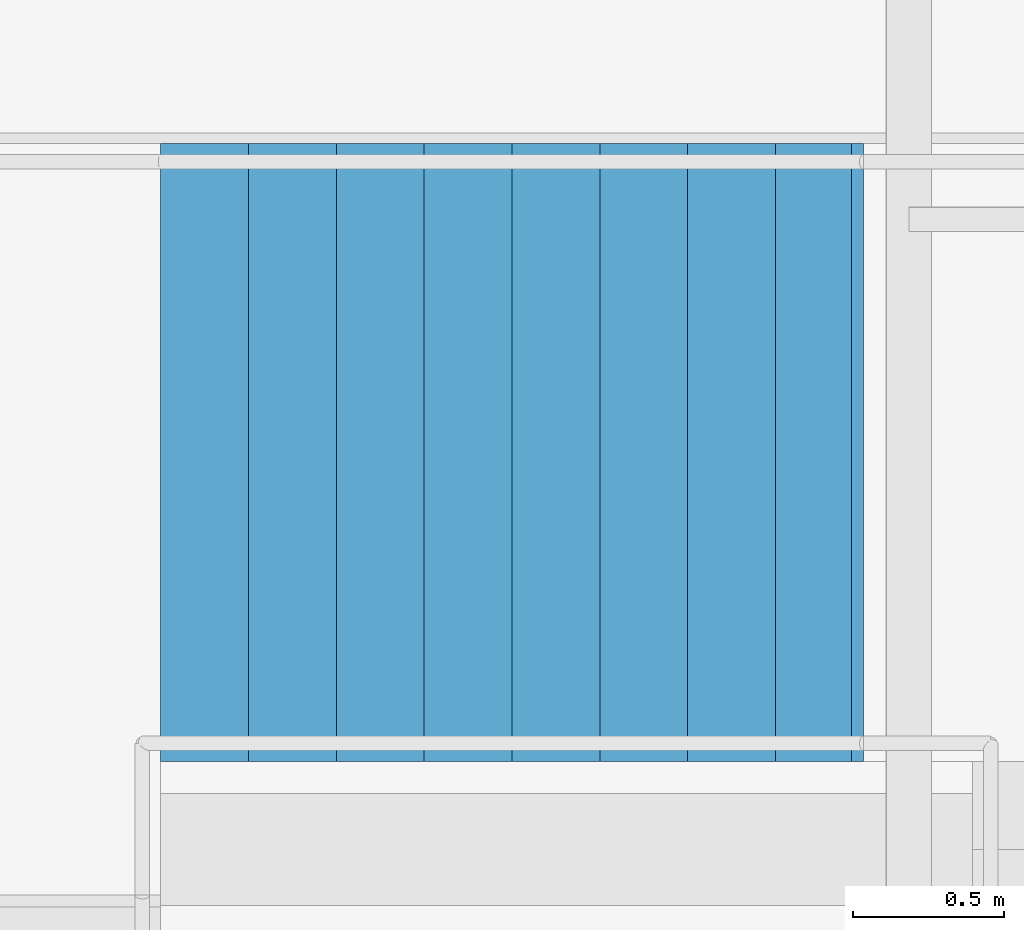
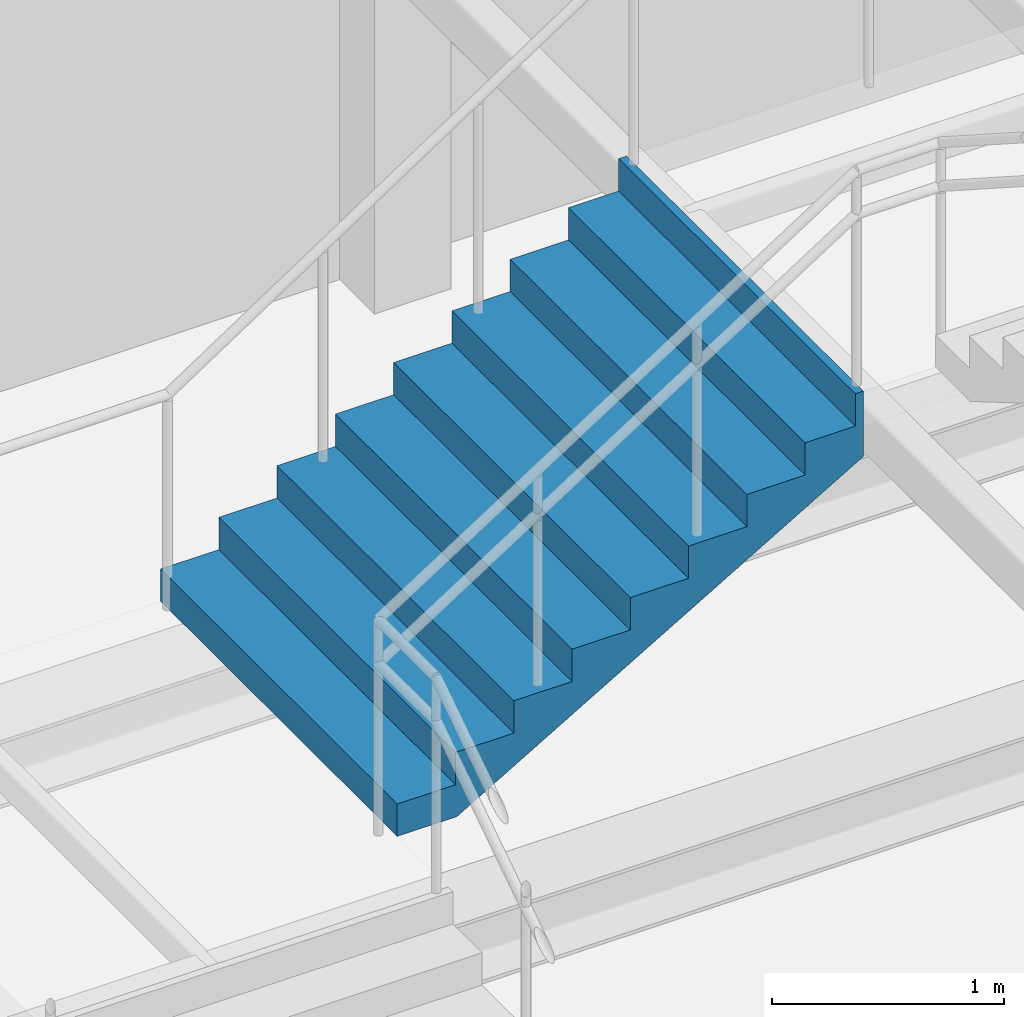
# One storey, part 25 of 32: 1 stair flight, 1 element without a shape of its own.
"""IFC4 building model written with IfcOpenShell, lengths in metres."""

from ifc_helpers import new_model, si_unit, direction, frame, origin, place, context, subcontext, project, spatial, triangles, material, type_object, element, aggregate, save


model = new_model("IFC4")

# Units and contexts
model_context = context("Model", 3, precision=1e-05, world=origin(), true_north=direction((0.0, 1.0)))
body_context = subcontext(model_context, "Body", "Model", "MODEL_VIEW")
ifc_project = project(units=[si_unit("LENGTHUNIT", "METRE"), si_unit("AREAUNIT", "SQUARE_METRE"), si_unit("VOLUMEUNIT", "CUBIC_METRE"), si_unit("PLANEANGLEUNIT", "RADIAN"), si_unit("MASSUNIT", "GRAM", prefix="KILO")], contexts=[model_context])

# Site, building, storey
site_placement = place(None, origin())
site = spatial("IfcSite", under=ifc_project, at=site_placement, CompositionType="ELEMENT")
building_placement = place(site_placement, origin())
building = spatial("IfcBuilding", under=site, at=building_placement, Name="Sillaruma Civic Art Gallery", CompositionType="ELEMENT")
storey_placement = place(building_placement, frame((0.0, 0.0, -4.590087890625)))
storey = spatial("IfcBuildingStorey", under=building, at=storey_placement, Name="B01", CompositionType="ELEMENT", Elevation=-4.590087890625)

# Stair, stair flight
ifc_material = material(Name="Concrete H35 (35 MPa)", Category="concrete")
stair_type = type_object("IfcStairType", Name="STR-3F-27", PredefinedType="TWO_QUARTER_TURN_STAIR", material=ifc_material)
stair_placement = place(storey_placement, origin())
stair = element("IfcStair", 1, at=stair_placement, inside=storey, type_object=stair_type, Name="Monumental Gallery Feature Stair ST-G01 (B01)", PredefinedType="TWO_QUARTER_TURN_STAIR")
stair_flight_type = type_object("IfcStairFlightType", Name="SFL-STR-9", PredefinedType="STRAIGHT", material=ifc_material)
stair_flight_placement = place(storey_placement, frame((40.239990234375, 113.97998046875, 1.530029296875), z_axis=(0.0, 0.0, 1.0), x_axis=(1.0, 0.0, 0.0)))
stair_flight = element("IfcStairFlight", 2, at=stair_flight_placement, type_object=stair_flight_type, Name="ST-G01 flight 2", NumberOfRisers=9, NumberOfTreads=8, PredefinedType="STRAIGHT", RiserHeight=0.17, TreadLength=0.29, context=body_context, shape_type="Tessellation", body=[
    triangles([(0.0, -1.02001953125, 0.0), (0.29, -1.02001953125, 0.0), (0.296482, -1.02001953125, 0.0), (0.58, -1.02001953125, 0.1662), (0.87, -1.02001953125, 0.3362), (1.16, -1.02001953125, 0.5062), (1.45, -1.02001953125, 0.6762), (1.74, -1.02001953125, 0.8462), (2.03, -1.02001953125, 1.0162), (2.280068, -1.02001953125, 1.162792), (2.320068, -1.02001953125, 1.18624), (2.320068, -1.02001953125, 1.53), (2.280068, -1.02001953125, 1.53), (2.280068, -1.02001953125, 1.36), (2.03, -1.02001953125, 1.36), (2.03, -1.02001953125, 1.19), (1.74, -1.02001953125, 1.19), (1.74, -1.02001953125, 1.02), (1.45, -1.02001953125, 1.02), (1.45, -1.02001953125, 0.85), (1.16, -1.02001953125, 0.85), (1.16, -1.02001953125, 0.68), (0.87, -1.02001953125, 0.68), (0.87, -1.02001953125, 0.51), (0.58, -1.02001953125, 0.51), (0.58, -1.02001953125, 0.34), (0.296482, -1.02001953125, 0.34), (0.29, -1.02001953125, 0.34), (0.29, -1.02001953125, 0.17), (0.0, -1.02001953125, 0.17), (0.0, -0.05, 0.0), (0.29, -0.05, 0.0), (0.296482, -0.05, 0.0), (0.58, -0.05, 0.1662), (0.87, -0.05, 0.3362), (1.16, -0.05, 0.5062), (1.45, -0.05, 0.6762), (1.74, -0.05, 0.8462), (2.03, -0.05, 1.0162), (2.280068, -0.05, 1.162792), (2.320068, -0.05, 1.18624), (2.320068, -0.05, 1.53), (2.280068, -0.05, 1.53), (2.280068, -0.05, 1.36), (2.03, -0.05, 1.36), (2.03, -0.05, 1.19), (1.74, -0.05, 1.19), (1.74, -0.05, 1.02), (1.45, -0.05, 1.02), (1.45, -0.05, 0.85), (1.16, -0.05, 0.85), (1.16, -0.05, 0.68), (0.87, -0.05, 0.68), (0.87, -0.05, 0.51), (0.58, -0.05, 0.51), (0.58, -0.05, 0.34), (0.296482, -0.05, 0.34), (0.29, -0.05, 0.34), (0.29, -0.05, 0.17), (0.0, -0.05, 0.17), (0.0, -0.0375, 0.0), (0.29, -0.0375, 0.0), (0.296482, -0.0375, 0.0), (0.58, -0.0375, 0.1662), (0.87, -0.0375, 0.3362), (1.16, -0.0375, 0.5062), (1.45, -0.0375, 0.6762), (1.74, -0.0375, 0.8462), (2.03, -0.0375, 1.0162), (2.280068, -0.0375, 1.162792), (2.320068, -0.0375, 1.18624), (2.320068, -0.0375, 1.53), (2.280068, -0.0375, 1.53), (2.280068, -0.0375, 1.36), (2.03, -0.0375, 1.36), (2.03, -0.0375, 1.19), (1.74, -0.0375, 1.19), (1.74, -0.0375, 1.02), (1.45, -0.0375, 1.02), (1.45, -0.0375, 0.85), (1.16, -0.0375, 0.85), (1.16, -0.0375, 0.68), (0.87, -0.0375, 0.68), (0.87, -0.0375, 0.51), (0.58, -0.0375, 0.51), (0.58, -0.0375, 0.34), (0.296482, -0.0375, 0.34), (0.29, -0.0375, 0.34), (0.29, -0.0375, 0.17), (0.0, -0.0375, 0.17), (0.0, -0.025, 0.0), (0.29, -0.025, 0.0), (0.296482, -0.025, 0.0), (0.58, -0.025, 0.1662), (0.87, -0.025, 0.3362), (1.16, -0.025, 0.5062), (1.45, -0.025, 0.6762), (1.74, -0.025, 0.8462), (2.03, -0.025, 1.0162), (2.280068, -0.025, 1.162792), (2.320068, -0.025, 1.18624), (2.320068, -0.025, 1.53), (2.280068, -0.025, 1.53), (2.280068, -0.025, 1.36), (2.03, -0.025, 1.36), (2.03, -0.025, 1.19), (1.74, -0.025, 1.19), (1.74, -0.025, 1.02), (1.45, -0.025, 1.02), (1.45, -0.025, 0.85), (1.16, -0.025, 0.85), (1.16, -0.025, 0.68), (0.87, -0.025, 0.68), (0.87, -0.025, 0.51), (0.58, -0.025, 0.51), (0.58, -0.025, 0.34), (0.296482, -0.025, 0.34), (0.29, -0.025, 0.34), (0.29, -0.025, 0.17), (0.0, -0.025, 0.17), (0.0, -0.0125, 0.0), (0.29, -0.0125, 0.0), (0.296482, -0.0125, 0.0), (0.58, -0.0125, 0.1662), (0.87, -0.0125, 0.3362), (1.16, -0.0125, 0.5062), (1.45, -0.0125, 0.6762), (1.74, -0.0125, 0.8462), (2.03, -0.0125, 1.0162), (2.280068, -0.0125, 1.162792), (2.320068, -0.0125, 1.18624), (2.320068, -0.0125, 1.53), (2.280068, -0.0125, 1.53), (2.280068, -0.0125, 1.36), (2.03, -0.0125, 1.36), (2.03, -0.0125, 1.19), (1.74, -0.0125, 1.19), (1.74, -0.0125, 1.02), (1.45, -0.0125, 1.02), (1.45, -0.0125, 0.85), (1.16, -0.0125, 0.85), (1.16, -0.0125, 0.68), (0.87, -0.0125, 0.68), (0.87, -0.0125, 0.51), (0.58, -0.0125, 0.51), (0.58, -0.0125, 0.34), (0.296482, -0.0125, 0.34), (0.29, -0.0125, 0.34), (0.29, -0.0125, 0.17), (0.0, -0.0125, 0.17), (0.0, 0.0, 0.0), (0.29, 0.0, 0.0), (0.296482, 0.0, 0.0), (0.58, 0.0, 0.1662), (0.87, 0.0, 0.3362), (1.16, 0.0, 0.5062), (1.45, 0.0, 0.6762), (1.74, 0.0, 0.8462), (2.03, 0.0, 1.0162), (2.280068, 0.0, 1.162792), (2.320068, 0.0, 1.18624), (2.320068, 0.0, 1.53), (2.280068, 0.0, 1.53), (2.280068, 0.0, 1.36), (2.03, 0.0, 1.36), (2.03, 0.0, 1.19), (1.74, 0.0, 1.19), (1.74, 0.0, 1.02), (1.45, 0.0, 1.02), (1.45, 0.0, 0.85), (1.16, 0.0, 0.85), (1.16, 0.0, 0.68), (0.87, 0.0, 0.68), (0.87, 0.0, 0.51), (0.58, 0.0, 0.51), (0.58, 0.0, 0.34), (0.296482, 0.0, 0.34), (0.29, 0.0, 0.34), (0.29, 0.0, 0.17), (0.0, 0.0, 0.17), (0.0, 0.0125, 0.0), (0.29, 0.0125, 0.0), (0.296482, 0.0125, 0.0), (0.58, 0.0125, 0.1662), (0.87, 0.0125, 0.3362), (1.16, 0.0125, 0.5062), (1.45, 0.0125, 0.6762), (1.74, 0.0125, 0.8462), (2.03, 0.0125, 1.0162), (2.280068, 0.0125, 1.162792), (2.320068, 0.0125, 1.18624), (2.320068, 0.0125, 1.53), (2.280068, 0.0125, 1.53), (2.280068, 0.0125, 1.36), (2.03, 0.0125, 1.36), (2.03, 0.0125, 1.19), (1.74, 0.0125, 1.19), (1.74, 0.0125, 1.02), (1.45, 0.0125, 1.02), (1.45, 0.0125, 0.85), (1.16, 0.0125, 0.85), (1.16, 0.0125, 0.68), (0.87, 0.0125, 0.68), (0.87, 0.0125, 0.51), (0.58, 0.0125, 0.51), (0.58, 0.0125, 0.34), (0.296482, 0.0125, 0.34), (0.29, 0.0125, 0.34), (0.29, 0.0125, 0.17), (0.0, 0.0125, 0.17), (0.0, 0.025, 0.0), (0.29, 0.025, 0.0), (0.296482, 0.025, 0.0), (0.58, 0.025, 0.1662), (0.87, 0.025, 0.3362), (1.16, 0.025, 0.5062), (1.45, 0.025, 0.6762), (1.74, 0.025, 0.8462), (2.03, 0.025, 1.0162), (2.280068, 0.025, 1.162792), (2.320068, 0.025, 1.18624), (2.320068, 0.025, 1.53), (2.280068, 0.025, 1.53), (2.280068, 0.025, 1.36), (2.03, 0.025, 1.36), (2.03, 0.025, 1.19), (1.74, 0.025, 1.19), (1.74, 0.025, 1.02), (1.45, 0.025, 1.02), (1.45, 0.025, 0.85), (1.16, 0.025, 0.85), (1.16, 0.025, 0.68), (0.87, 0.025, 0.68), (0.87, 0.025, 0.51), (0.58, 0.025, 0.51), (0.58, 0.025, 0.34), (0.296482, 0.025, 0.34), (0.29, 0.025, 0.34), (0.29, 0.025, 0.17), (0.0, 0.025, 0.17), (0.0, 0.0375, 0.0), (0.29, 0.0375, 0.0), (0.296482, 0.0375, 0.0), (0.58, 0.0375, 0.1662), (0.87, 0.0375, 0.3362), (1.16, 0.0375, 0.5062), (1.45, 0.0375, 0.6762), (1.74, 0.0375, 0.8462), (2.03, 0.0375, 1.0162), (2.280068, 0.0375, 1.162792), (2.320068, 0.0375, 1.18624), (2.320068, 0.0375, 1.53), (2.280068, 0.0375, 1.53), (2.280068, 0.0375, 1.36), (2.03, 0.0375, 1.36), (2.03, 0.0375, 1.19), (1.74, 0.0375, 1.19), (1.74, 0.0375, 1.02), (1.45, 0.0375, 1.02), (1.45, 0.0375, 0.85), (1.16, 0.0375, 0.85), (1.16, 0.0375, 0.68), (0.87, 0.0375, 0.68), (0.87, 0.0375, 0.51), (0.58, 0.0375, 0.51), (0.58, 0.0375, 0.34), (0.296482, 0.0375, 0.34), (0.29, 0.0375, 0.34), (0.29, 0.0375, 0.17), (0.0, 0.0375, 0.17), (0.0, 0.05, 0.0), (0.29, 0.05, 0.0), (0.296482, 0.05, 0.0), (0.58, 0.05, 0.1662), (0.87, 0.05, 0.3362), (1.16, 0.05, 0.5062), (1.45, 0.05, 0.6762), (1.74, 0.05, 0.8462), (2.03, 0.05, 1.0162), (2.280068, 0.05, 1.162792), (2.320068, 0.05, 1.18624), (2.320068, 0.05, 1.53), (2.280068, 0.05, 1.53), (2.280068, 0.05, 1.36), (2.03, 0.05, 1.36), (2.03, 0.05, 1.19), (1.74, 0.05, 1.19), (1.74, 0.05, 1.02), (1.45, 0.05, 1.02), (1.45, 0.05, 0.85), (1.16, 0.05, 0.85), (1.16, 0.05, 0.68), (0.87, 0.05, 0.68), (0.87, 0.05, 0.51), (0.58, 0.05, 0.51), (0.58, 0.05, 0.34), (0.296482, 0.05, 0.34), (0.29, 0.05, 0.34), (0.29, 0.05, 0.17), (0.0, 0.05, 0.17), (0.0, 1.02001953125, 0.0), (0.29, 1.02001953125, 0.0), (0.296482, 1.02001953125, 0.0), (0.58, 1.02001953125, 0.1662), (0.87, 1.02001953125, 0.3362), (1.16, 1.02001953125, 0.5062), (1.45, 1.02001953125, 0.6762), (1.74, 1.02001953125, 0.8462), (2.03, 1.02001953125, 1.0162), (2.280068, 1.02001953125, 1.162792), (2.320068, 1.02001953125, 1.18624), (2.320068, 1.02001953125, 1.53), (2.280068, 1.02001953125, 1.53), (2.280068, 1.02001953125, 1.36), (2.03, 1.02001953125, 1.36), (2.03, 1.02001953125, 1.19), (1.74, 1.02001953125, 1.19), (1.74, 1.02001953125, 1.02), (1.45, 1.02001953125, 1.02), (1.45, 1.02001953125, 0.85), (1.16, 1.02001953125, 0.85), (1.16, 1.02001953125, 0.68), (0.87, 1.02001953125, 0.68), (0.87, 1.02001953125, 0.51), (0.58, 1.02001953125, 0.51), (0.58, 1.02001953125, 0.34), (0.296482, 1.02001953125, 0.34), (0.29, 1.02001953125, 0.34), (0.29, 1.02001953125, 0.17), (0.0, 1.02001953125, 0.17)], [[1, 2, 29], [1, 29, 30], [2, 3, 27], [2, 27, 29], [29, 27, 28], [3, 4, 26], [3, 26, 27], [4, 5, 24], [4, 24, 26], [26, 24, 25], [5, 6, 22], [5, 22, 24], [24, 22, 23], [6, 7, 20], [6, 20, 22], [22, 20, 21], [7, 8, 18], [7, 18, 20], [20, 18, 19], [8, 9, 16], [8, 16, 18], [18, 16, 17], [9, 10, 14], [9, 14, 16], [16, 14, 15], [10, 11, 12], [10, 12, 14], [14, 12, 13], [329, 302, 301], [330, 329, 301], [327, 303, 302], [329, 327, 302], [328, 327, 329], [326, 304, 303], [327, 326, 303], [324, 305, 304], [326, 324, 304], [325, 324, 326], [322, 306, 305], [324, 322, 305], [323, 322, 324], [320, 307, 306], [322, 320, 306], [321, 320, 322], [318, 308, 307], [320, 318, 307], [319, 318, 320], [316, 309, 308], [318, 316, 308], [317, 316, 318], [314, 310, 309], [316, 314, 309], [315, 314, 316], [312, 311, 310], [314, 312, 310], [313, 312, 314], [2, 1, 31], [2, 31, 32], [3, 2, 32], [3, 32, 33], [4, 3, 33], [4, 33, 34], [5, 4, 34], [5, 34, 35], [6, 5, 35], [6, 35, 36], [7, 6, 36], [7, 36, 37], [8, 7, 37], [8, 37, 38], [9, 8, 38], [9, 38, 39], [10, 9, 39], [10, 39, 40], [11, 10, 40], [11, 40, 41], [12, 11, 41], [12, 41, 42], [13, 12, 42], [13, 42, 43], [14, 13, 43], [14, 43, 44], [15, 14, 44], [15, 44, 45], [16, 15, 45], [16, 45, 46], [17, 16, 46], [17, 46, 47], [18, 17, 47], [18, 47, 48], [19, 18, 48], [19, 48, 49], [20, 19, 49], [20, 49, 50], [21, 20, 50], [21, 50, 51], [22, 21, 51], [22, 51, 52], [23, 22, 52], [23, 52, 53], [24, 23, 53], [24, 53, 54], [25, 24, 54], [25, 54, 55], [26, 25, 55], [26, 55, 56], [27, 26, 56], [27, 56, 57], [28, 27, 57], [28, 57, 58], [29, 28, 58], [29, 58, 59], [30, 29, 59], [30, 59, 60], [1, 30, 60], [1, 60, 31], [32, 31, 61], [32, 61, 62], [33, 32, 62], [33, 62, 63], [34, 33, 63], [34, 63, 64], [35, 34, 64], [35, 64, 65], [36, 35, 65], [36, 65, 66], [37, 36, 66], [37, 66, 67], [38, 37, 67], [38, 67, 68], [39, 38, 68], [39, 68, 69], [40, 39, 69], [40, 69, 70], [41, 40, 70], [41, 70, 71], [42, 41, 71], [42, 71, 72], [43, 42, 72], [43, 72, 73], [44, 43, 73], [44, 73, 74], [45, 44, 74], [45, 74, 75], [46, 45, 75], [46, 75, 76], [47, 46, 76], [47, 76, 77], [48, 47, 77], [48, 77, 78], [49, 48, 78], [49, 78, 79], [50, 49, 79], [50, 79, 80], [51, 50, 80], [51, 80, 81], [52, 51, 81], [52, 81, 82], [53, 52, 82], [53, 82, 83], [54, 53, 83], [54, 83, 84], [55, 54, 84], [55, 84, 85], [56, 55, 85], [56, 85, 86], [57, 56, 86], [57, 86, 87], [58, 57, 87], [58, 87, 88], [59, 58, 88], [59, 88, 89], [60, 59, 89], [60, 89, 90], [31, 60, 90], [31, 90, 61], [62, 61, 91], [62, 91, 92], [63, 62, 92], [63, 92, 93], [64, 63, 93], [64, 93, 94], [65, 64, 94], [65, 94, 95], [66, 65, 95], [66, 95, 96], [67, 66, 96], [67, 96, 97], [68, 67, 97], [68, 97, 98], [69, 68, 98], [69, 98, 99], [70, 69, 99], [70, 99, 100], [71, 70, 100], [71, 100, 101], [72, 71, 101], [72, 101, 102], [73, 72, 102], [73, 102, 103], [74, 73, 103], [74, 103, 104], [75, 74, 104], [75, 104, 105], [76, 75, 105], [76, 105, 106], [77, 76, 106], [77, 106, 107], [78, 77, 107], [78, 107, 108], [79, 78, 108], [79, 108, 109], [80, 79, 109], [80, 109, 110], [81, 80, 110], [81, 110, 111], [82, 81, 111], [82, 111, 112], [83, 82, 112], [83, 112, 113], [84, 83, 113], [84, 113, 114], [85, 84, 114], [85, 114, 115], [86, 85, 115], [86, 115, 116], [87, 86, 116], [87, 116, 117], [88, 87, 117], [88, 117, 118], [89, 88, 118], [89, 118, 119], [90, 89, 119], [90, 119, 120], [61, 90, 120], [61, 120, 91], [92, 91, 121], [92, 121, 122], [93, 92, 122], [93, 122, 123], [94, 93, 123], [94, 123, 124], [95, 94, 124], [95, 124, 125], [96, 95, 125], [96, 125, 126], [97, 96, 126], [97, 126, 127], [98, 97, 127], [98, 127, 128], [99, 98, 128], [99, 128, 129], [100, 99, 129], [100, 129, 130], [101, 100, 130], [101, 130, 131], [102, 101, 131], [102, 131, 132], [103, 102, 132], [103, 132, 133], [104, 103, 133], [104, 133, 134], [105, 104, 134], [105, 134, 135], [106, 105, 135], [106, 135, 136], [107, 106, 136], [107, 136, 137], [108, 107, 137], [108, 137, 138], [109, 108, 138], [109, 138, 139], [110, 109, 139], [110, 139, 140], [111, 110, 140], [111, 140, 141], [112, 111, 141], [112, 141, 142], [113, 112, 142], [113, 142, 143], [114, 113, 143], [114, 143, 144], [115, 114, 144], [115, 144, 145], [116, 115, 145], [116, 145, 146], [117, 116, 146], [117, 146, 147], [118, 117, 147], [118, 147, 148], [119, 118, 148], [119, 148, 149], [120, 119, 149], [120, 149, 150], [91, 120, 150], [91, 150, 121], [122, 121, 151], [122, 151, 152], [123, 122, 152], [123, 152, 153], [124, 123, 153], [124, 153, 154], [125, 124, 154], [125, 154, 155], [126, 125, 155], [126, 155, 156], [127, 126, 156], [127, 156, 157], [128, 127, 157], [128, 157, 158], [129, 128, 158], [129, 158, 159], [130, 129, 159], [130, 159, 160], [131, 130, 160], [131, 160, 161], [132, 131, 161], [132, 161, 162], [133, 132, 162], [133, 162, 163], [134, 133, 163], [134, 163, 164], [135, 134, 164], [135, 164, 165], [136, 135, 165], [136, 165, 166], [137, 136, 166], [137, 166, 167], [138, 137, 167], [138, 167, 168], [139, 138, 168], [139, 168, 169], [140, 139, 169], [140, 169, 170], [141, 140, 170], [141, 170, 171], [142, 141, 171], [142, 171, 172], [143, 142, 172], [143, 172, 173], [144, 143, 173], [144, 173, 174], [145, 144, 174], [145, 174, 175], [146, 145, 175], [146, 175, 176], [147, 146, 176], [147, 176, 177], [148, 147, 177], [148, 177, 178], [149, 148, 178], [149, 178, 179], [150, 149, 179], [150, 179, 180], [121, 150, 180], [121, 180, 151], [152, 151, 181], [152, 181, 182], [153, 152, 182], [153, 182, 183], [154, 153, 183], [154, 183, 184], [155, 154, 184], [155, 184, 185], [156, 155, 185], [156, 185, 186], [157, 156, 186], [157, 186, 187], [158, 157, 187], [158, 187, 188], [159, 158, 188], [159, 188, 189], [160, 159, 189], [160, 189, 190], [161, 160, 190], [161, 190, 191], [162, 161, 191], [162, 191, 192], [163, 162, 192], [163, 192, 193], [164, 163, 193], [164, 193, 194], [165, 164, 194], [165, 194, 195], [166, 165, 195], [166, 195, 196], [167, 166, 196], [167, 196, 197], [168, 167, 197], [168, 197, 198], [169, 168, 198], [169, 198, 199], [170, 169, 199], [170, 199, 200], [171, 170, 200], [171, 200, 201], [172, 171, 201], [172, 201, 202], [173, 172, 202], [173, 202, 203], [174, 173, 203], [174, 203, 204], [175, 174, 204], [175, 204, 205], [176, 175, 205], [176, 205, 206], [177, 176, 206], [177, 206, 207], [178, 177, 207], [178, 207, 208], [179, 178, 208], [179, 208, 209], [180, 179, 209], [180, 209, 210], [151, 180, 210], [151, 210, 181], [182, 181, 211], [182, 211, 212], [183, 182, 212], [183, 212, 213], [184, 183, 213], [184, 213, 214], [185, 184, 214], [185, 214, 215], [186, 185, 215], [186, 215, 216], [187, 186, 216], [187, 216, 217], [188, 187, 217], [188, 217, 218], [189, 188, 218], [189, 218, 219], [190, 189, 219], [190, 219, 220], [191, 190, 220], [191, 220, 221], [192, 191, 221], [192, 221, 222], [193, 192, 222], [193, 222, 223], [194, 193, 223], [194, 223, 224], [195, 194, 224], [195, 224, 225], [196, 195, 225], [196, 225, 226], [197, 196, 226], [197, 226, 227], [198, 197, 227], [198, 227, 228], [199, 198, 228], [199, 228, 229], [200, 199, 229], [200, 229, 230], [201, 200, 230], [201, 230, 231], [202, 201, 231], [202, 231, 232], [203, 202, 232], [203, 232, 233], [204, 203, 233], [204, 233, 234], [205, 204, 234], [205, 234, 235], [206, 205, 235], [206, 235, 236], [207, 206, 236], [207, 236, 237], [208, 207, 237], [208, 237, 238], [209, 208, 238], [209, 238, 239], [210, 209, 239], [210, 239, 240], [181, 210, 240], [181, 240, 211], [212, 211, 241], [212, 241, 242], [213, 212, 242], [213, 242, 243], [214, 213, 243], [214, 243, 244], [215, 214, 244], [215, 244, 245], [216, 215, 245], [216, 245, 246], [217, 216, 246], [217, 246, 247], [218, 217, 247], [218, 247, 248], [219, 218, 248], [219, 248, 249], [220, 219, 249], [220, 249, 250], [221, 220, 250], [221, 250, 251], [222, 221, 251], [222, 251, 252], [223, 222, 252], [223, 252, 253], [224, 223, 253], [224, 253, 254], [225, 224, 254], [225, 254, 255], [226, 225, 255], [226, 255, 256], [227, 226, 256], [227, 256, 257], [228, 227, 257], [228, 257, 258], [229, 228, 258], [229, 258, 259], [230, 229, 259], [230, 259, 260], [231, 230, 260], [231, 260, 261], [232, 231, 261], [232, 261, 262], [233, 232, 262], [233, 262, 263], [234, 233, 263], [234, 263, 264], [235, 234, 264], [235, 264, 265], [236, 235, 265], [236, 265, 266], [237, 236, 266], [237, 266, 267], [238, 237, 267], [238, 267, 268], [239, 238, 268], [239, 268, 269], [240, 239, 269], [240, 269, 270], [211, 240, 270], [211, 270, 241], [242, 241, 271], [242, 271, 272], [243, 242, 272], [243, 272, 273], [244, 243, 273], [244, 273, 274], [245, 244, 274], [245, 274, 275], [246, 245, 275], [246, 275, 276], [247, 246, 276], [247, 276, 277], [248, 247, 277], [248, 277, 278], [249, 248, 278], [249, 278, 279], [250, 249, 279], [250, 279, 280], [251, 250, 280], [251, 280, 281], [252, 251, 281], [252, 281, 282], [253, 252, 282], [253, 282, 283], [254, 253, 283], [254, 283, 284], [255, 254, 284], [255, 284, 285], [256, 255, 285], [256, 285, 286], [257, 256, 286], [257, 286, 287], [258, 257, 287], [258, 287, 288], [259, 258, 288], [259, 288, 289], [260, 259, 289], [260, 289, 290], [261, 260, 290], [261, 290, 291], [262, 261, 291], [262, 291, 292], [263, 262, 292], [263, 292, 293], [264, 263, 293], [264, 293, 294], [265, 264, 294], [265, 294, 295], [266, 265, 295], [266, 295, 296], [267, 266, 296], [267, 296, 297], [268, 267, 297], [268, 297, 298], [269, 268, 298], [269, 298, 299], [270, 269, 299], [270, 299, 300], [241, 270, 300], [241, 300, 271], [272, 271, 301], [272, 301, 302], [273, 272, 302], [273, 302, 303], [274, 273, 303], [274, 303, 304], [275, 274, 304], [275, 304, 305], [276, 275, 305], [276, 305, 306], [277, 276, 306], [277, 306, 307], [278, 277, 307], [278, 307, 308], [279, 278, 308], [279, 308, 309], [280, 279, 309], [280, 309, 310], [281, 280, 310], [281, 310, 311], [282, 281, 311], [282, 311, 312], [283, 282, 312], [283, 312, 313], [284, 283, 313], [284, 313, 314], [285, 284, 314], [285, 314, 315], [286, 285, 315], [286, 315, 316], [287, 286, 316], [287, 316, 317], [288, 287, 317], [288, 317, 318], [289, 288, 318], [289, 318, 319], [290, 289, 319], [290, 319, 320], [291, 290, 320], [291, 320, 321], [292, 291, 321], [292, 321, 322], [293, 292, 322], [293, 322, 323], [294, 293, 323], [294, 323, 324], [295, 294, 324], [295, 324, 325], [296, 295, 325], [296, 325, 326], [297, 296, 326], [297, 326, 327], [298, 297, 327], [298, 327, 328], [299, 298, 328], [299, 328, 329], [300, 299, 329], [300, 329, 330], [271, 300, 330], [271, 330, 301]], closed=True),
])
aggregate(stair, [stair_flight])

save(model, "model.ifc")
